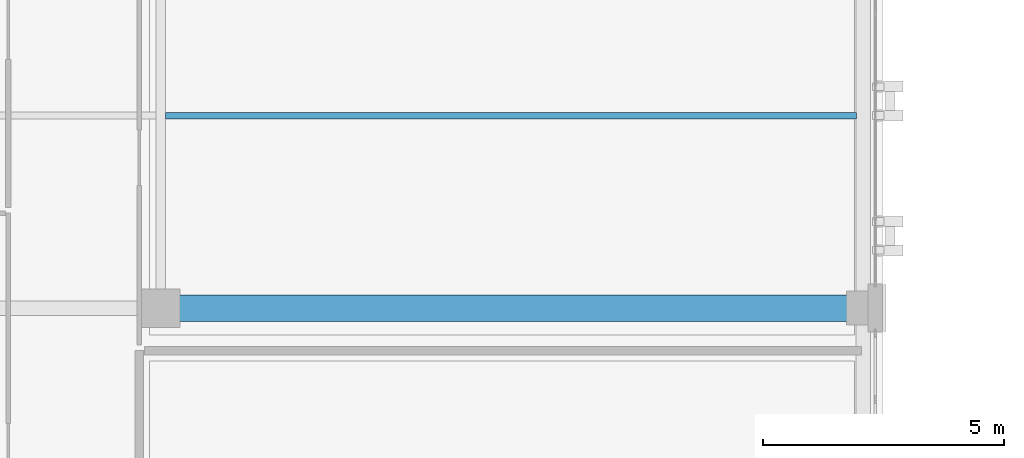
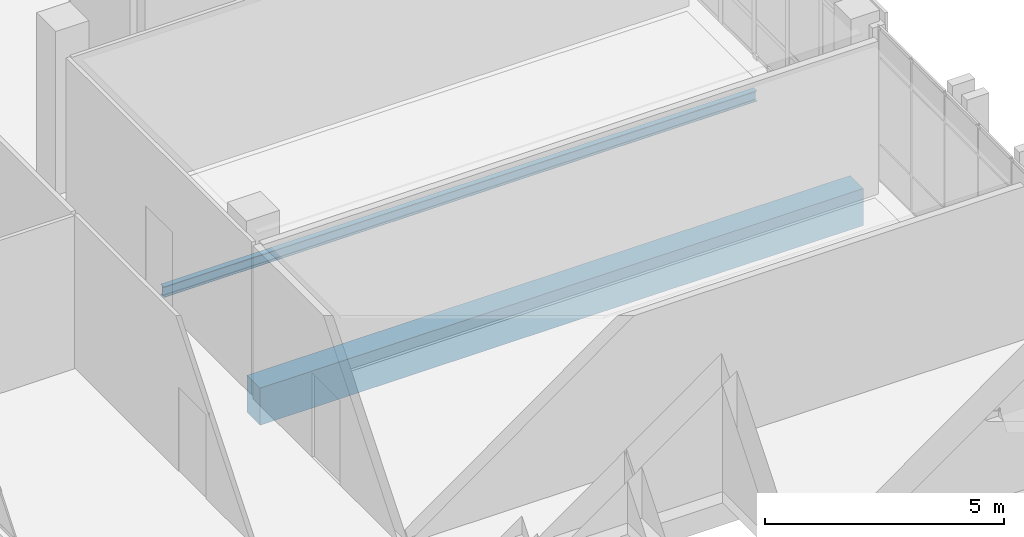
# One storey, part 67 of 193: 2 beams.
"""IFC4 building model written with IfcOpenShell, lengths in metres."""

import ifcopenshell
import ifcopenshell.guid

model = None  # the IFC model being written
_history = None  # IfcOwnerHistory: only IFC2X3 demands one
_inside = {}  # id of a spatial element -> (the spatial element, [elements in it])
_under = {}  # id of a project, library or spatial element -> (it, [spatial elements below it])
_declared = {}  # id of a project -> (the project, [libraries it declares])
_typed = {}  # id of a type object -> (the type object, [elements of that type])
_made_of = {}  # id of a material, layer set ... -> (it, [elements and type objects made of it])


def new_model(schema):
    """Start an empty IFC model of exactly this schema.

    Asked for "IFC4X3", IfcOpenShell would pick the latest addendum, in which some entities
    have other attributes; the version numbers below select the first issue.
    IFC2X3 requires an IfcOwnerHistory on every rooted entity: one is made here for all.
    """
    global model, _history
    if schema == "IFC4X3":
        model = ifcopenshell.file(schema_version=(4, 3, 0, 0))
    else:
        model = ifcopenshell.file(schema=schema)
    _inside.clear()
    _under.clear()
    _declared.clear()
    _typed.clear()
    _made_of.clear()
    _history = None
    if model.schema == "IFC2X3":
        org = make("IfcOrganization", Name="unknown")
        user = make(
            "IfcPersonAndOrganization",
            ThePerson=make("IfcPerson", FamilyName="unknown"),
            TheOrganization=org,
        )
        app = make(
            "IfcApplication",
            ApplicationDeveloper=org,
            Version="unknown",
            ApplicationFullName="unknown",
            ApplicationIdentifier="unknown",
        )
        _history = make(
            "IfcOwnerHistory",
            OwningUser=user,
            OwningApplication=app,
            ChangeAction="ADDED",
            CreationDate=0,
        )
    return model


def make(cls, **values):
    """One entity of the class cls with the attributes given. An attribute that is None is left unset."""
    return model.create_entity(
        cls, **{name: value for name, value in values.items() if value is not None}
    )


def rooted(cls, **values):
    """An entity with a GlobalId (a new one), such as an element, a storey or a relation."""
    return make(cls, GlobalId=ifcopenshell.guid.new(), OwnerHistory=_history, **values)


def si_unit(unit_type, name, prefix=None):
    """IfcSIUnit, for example si_unit("LENGTHUNIT", "METRE", prefix="MILLI")."""
    return make("IfcSIUnit", UnitType=unit_type, Prefix=prefix, Name=name)


def assignment(units):
    """IfcUnitAssignment: the units of a project."""
    return None if units is None else make("IfcUnitAssignment", Units=units)


def point(xyz):
    """IfcCartesianPoint."""
    return None if xyz is None else make("IfcCartesianPoint", Coordinates=xyz)


def direction(xyz):
    """IfcDirection."""
    return None if xyz is None else make("IfcDirection", DirectionRatios=xyz)


def frame(location, z_axis=None, x_axis=None):
    """IfcAxis2Placement3D, a coordinate frame: its origin and axes. An axis left out is left unset."""
    return make(
        "IfcAxis2Placement3D",
        Location=point(location),
        Axis=direction(z_axis),
        RefDirection=direction(x_axis),
    )


def frame_2d(location, x_axis=None):
    """IfcAxis2Placement2D, a coordinate frame in the plane: its origin and x axis."""
    return make(
        "IfcAxis2Placement2D", Location=point(location), RefDirection=direction(x_axis)
    )


def origin():
    """The frame at (0, 0, 0) with its axes left unset."""
    return frame((0.0, 0.0, 0.0))


def origin_2d():
    """The frame at (0, 0) in the plane with its x axis left unset."""
    return frame_2d((0.0, 0.0))


def place(relative_to, where):
    """IfcLocalPlacement: puts the frame where relative to a parent placement (None: the world)."""
    return make(
        "IfcLocalPlacement", PlacementRelTo=relative_to, RelativePlacement=where
    )


def context(
    kind, dimensions, precision=None, world=None, true_north=None, identifier=None
):
    """IfcGeometricRepresentationContext, for example the 3D "Model" context."""
    return make(
        "IfcGeometricRepresentationContext",
        ContextIdentifier=identifier,
        ContextType=kind,
        CoordinateSpaceDimension=dimensions,
        Precision=precision,
        WorldCoordinateSystem=world,
        TrueNorth=true_north,
    )


def subcontext(parent, identifier, kind, view, scale=None):
    """IfcGeometricRepresentationSubContext, for example "Body" below "Model"."""
    return make(
        "IfcGeometricRepresentationSubContext",
        ContextIdentifier=identifier,
        ContextType=kind,
        ParentContext=parent,
        TargetScale=scale,
        TargetView=view,
    )


def project(units=None, contexts=None):
    """IfcProject with its units and contexts."""
    return rooted(
        "IfcProject",
        Name="project",
        RepresentationContexts=contexts,
        UnitsInContext=assignment(units),
    )


def spatial(cls, under=None, at=None, **own):
    """A site, building, storey or space (cls), placed at a placement, below another one or the project."""
    s = rooted(cls, ObjectPlacement=at, **own)
    if under is not None:
        _under.setdefault(under.id(), (under, []))[1].append(s)
    return s


def profile(cls, at=None, kind="AREA", **sizes):
    """A parametric profile (cls). Its sizes go by their IFC names, for example OverallWidth=200.0."""
    return make(cls, ProfileType=kind, Position=at, **sizes)


def rectangle(**sizes):
    """IfcRectangleProfileDef."""
    return profile("IfcRectangleProfileDef", **sizes)


def i_section(**sizes):
    """IfcIShapeProfileDef."""
    return profile("IfcIShapeProfileDef", **sizes)


def extrude(swept, where, along, depth):
    """IfcExtrudedAreaSolid: the profile swept, set in the frame where, extruded along a direction by depth."""
    return make(
        "IfcExtrudedAreaSolid",
        SweptArea=swept,
        Position=where,
        ExtrudedDirection=direction(along),
        Depth=depth,
    )


def shape(context_of_items, identifier, shape_type, items):
    """IfcShapeRepresentation: the items that make up one representation, for example the "Body"."""
    return make(
        "IfcShapeRepresentation",
        ContextOfItems=context_of_items,
        RepresentationIdentifier=identifier,
        RepresentationType=shape_type,
        Items=items,
    )


def material(Name=None, Category=None):
    """IfcMaterial."""
    return make("IfcMaterial", Name=Name, Category=Category)


def material_profile(
    of_material, cross_section, Name=None, Category=None, Priority=None
):
    """IfcMaterialProfile: a cross section and its material."""
    return make(
        "IfcMaterialProfile",
        Name=Name,
        Material=of_material,
        Profile=cross_section,
        Priority=Priority,
        Category=Category,
    )


def profile_set(profiles, Name=None, composite=None):
    """IfcMaterialProfileSet."""
    return make(
        "IfcMaterialProfileSet",
        Name=Name,
        MaterialProfiles=profiles,
        CompositeProfile=composite,
    )


def made_of(thing, what):
    """Note that an element or type object is made of a material, layer set ...; save() writes the relation."""
    if what is not None:
        _made_of.setdefault(what.id(), (what, []))[1].append(thing)
    return thing


def type_object(cls, material=None, **own):
    """A type object (cls), such as IfcWallType, which elements share."""
    return made_of(rooted(cls, **own), material)


def element(
    cls,
    number,
    at=None,
    inside=None,
    cuts=None,
    type_object=None,
    material=None,
    context=None,
    identifier="Body",
    shape_type=None,
    held_by="IfcProductDefinitionShape",
    body=None,
    shapes=None,
    **own,
):
    """One element of the class cls, such as IfcWall. Its Tag is "e" and its number.

    at: its placement. inside: the storey or other place that contains it. cuts: it is an
    opening in that element (IfcRelVoidsElement). A single representation is given by context,
    identifier, shape_type and body (its items); several are given by shapes. held_by: the class
    of the entity that holds the representations. save() writes the other relations.
    """
    e = rooted(cls, Tag="e%d" % number, ObjectPlacement=at, **own)
    if body is not None:
        shapes = [shape(context, identifier, shape_type, body)]
    if shapes is not None:
        e.Representation = make(held_by, Representations=shapes)
    if inside is not None:
        _inside.setdefault(inside.id(), (inside, []))[1].append(e)
    if cuts is not None:
        rooted(
            "IfcRelVoidsElement", RelatingBuildingElement=cuts, RelatedOpeningElement=e
        )
    if type_object is not None:
        _typed.setdefault(type_object.id(), (type_object, []))[1].append(e)
    return made_of(e, material)


def aggregate(whole, parts):
    """IfcRelAggregates: a whole, such as a stair, and the parts it consists of."""
    return rooted("IfcRelAggregates", RelatingObject=whole, RelatedObjects=parts)


def save(model, path):
    """Write the relations noted so far, then the file.

    IfcRelAggregates (storeys below a building ...), IfcRelContainedInSpatialStructure (elements
    in a storey), IfcRelDefinesByType, IfcRelAssociatesMaterial and IfcRelDeclares: one each for
    every whole, place, type object, material and project.
    """
    for whole, parts in _under.values():
        aggregate(whole, parts)
    for where, things in _inside.values():
        rooted(
            "IfcRelContainedInSpatialStructure",
            RelatedElements=things,
            RelatingStructure=where,
        )
    for kind, things in _typed.values():
        rooted("IfcRelDefinesByType", RelatedObjects=things, RelatingType=kind)
    for what, things in _made_of.values():
        rooted("IfcRelAssociatesMaterial", RelatedObjects=things, RelatingMaterial=what)
    for by, libraries in _declared.values():
        rooted("IfcRelDeclares", RelatingContext=by, RelatedDefinitions=libraries)
    model.write(path)


model = new_model("IFC4")

# Units and contexts
model_context = context("Model", 3, precision=1e-05, world=origin(), true_north=direction((0.0, 1.0)))
body_context = subcontext(model_context, "Body", "Model", "MODEL_VIEW")
ifc_project = project(units=[si_unit("LENGTHUNIT", "METRE"), si_unit("AREAUNIT", "SQUARE_METRE"), si_unit("VOLUMEUNIT", "CUBIC_METRE"), si_unit("PLANEANGLEUNIT", "RADIAN"), si_unit("MASSUNIT", "GRAM", prefix="KILO")], contexts=[model_context])

# Site, building, storey
site_placement = place(None, origin())
site = spatial("IfcSite", under=ifc_project, at=site_placement, CompositionType="ELEMENT")
building_placement = place(site_placement, origin())
building = spatial("IfcBuilding", under=site, at=building_placement, Name="Qalavern Law Courts", CompositionType="ELEMENT")
storey_placement = place(building_placement, frame((0.0, 0.0, 10.199951171875)))
storey = spatial("IfcBuildingStorey", under=building, at=storey_placement, Name="L02", CompositionType="ELEMENT", Elevation=10.199951171875)

# Beams
ifc_material_1 = material(Name="Concrete C40/50", Category="concrete")
ifc_material_profile_1 = material_profile(ifc_material_1, rectangle(XDim=0.550048828125, YDim=0.949951171875, at=origin_2d()), Name="RC 550x950")
ifc_profile_set_1 = profile_set([ifc_material_profile_1], Name="Concrete C40/50")
beam_type_1 = type_object("IfcBeamType", Name="STR-BM-RC550x950", PredefinedType="BEAM", material=ifc_profile_set_1)
beam_1_placement = place(storey_placement, frame((91.800048828125, 57.39990234375, -0.764892578125), z_axis=(1.0, 0.0, 0.0), x_axis=(0.0, 1.0, 0.0)))
element("IfcBeam", 1, at=beam_1_placement, inside=storey, type_object=beam_type_1, Name="V4 X-beam 3-2 L02", PredefinedType="BEAM", context=body_context, shape_type="SweptSolid", body=[
    extrude(rectangle(XDim=0.550048828125, YDim=0.949951171875, at=origin_2d()), origin(), (0.0, 0.0, 1.0), 14.599853515625),
])
ifc_material_2 = material(Name="Steel S355", Category="steel")
ifc_material_profile_2 = material_profile(ifc_material_2, i_section(OverallWidth=0.135009765625, OverallDepth=0.27001953125, WebThickness=0.006591796875, FlangeThickness=0.01025390625, FilletRadius=0.014892578125, at=origin_2d()), Name="IPE 270")
ifc_profile_set_2 = profile_set([ifc_material_profile_2], Name="Steel S355")
beam_type_2 = type_object("IfcBeamType", Name="STR-JST-IPE270", PredefinedType="JOIST", material=ifc_profile_set_2)
beam_2_placement = place(storey_placement, frame((91.89794921875, 61.39990234375, -0.425048828125), z_axis=(1.0, 0.0, 0.0), x_axis=(0.0, 1.0, 0.0)))
element("IfcBeam", 2, at=beam_2_placement, inside=storey, type_object=beam_type_2, Name="V4 secondary joist 2.3.1 L02", PredefinedType="JOIST", context=body_context, shape_type="SweptSolid", body=[
    extrude(i_section(OverallWidth=0.135009765625, OverallDepth=0.27001953125, WebThickness=0.006591796875, FlangeThickness=0.01025390625, FilletRadius=0.014892578125, at=origin_2d()), origin(), (0.0, 0.0, 1.0), 14.35400390625),
])

save(model, "model.ifc")
